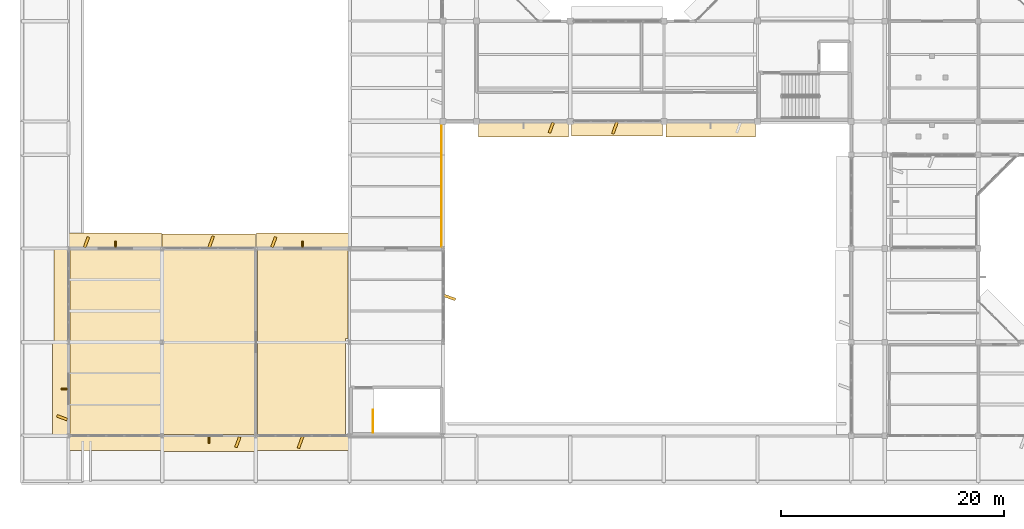
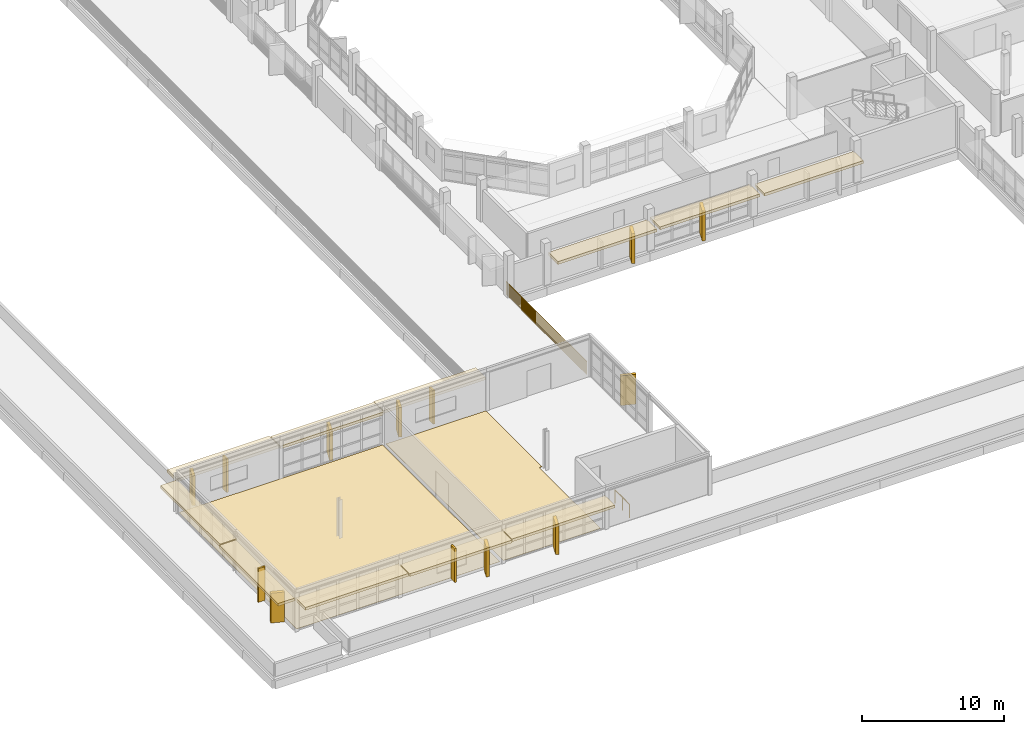
# One storey, part 67 of 92: 22 coverings, 4 shading devices, 2 railings.
"""IFC4 building model written with IfcOpenShell, lengths in metres."""

from ifc_helpers import new_model, si_unit, direction, frame, origin, origin_2d, place, context, subcontext, project, spatial, polyline, rectangle, circle, outline, extrude, material, layer, layer_set, type_object, element, save


model = new_model("IFC4")

# Units and contexts
model_context = context("Model", 3, precision=1e-05, world=origin(), true_north=direction((0.0, 1.0)))
body_context = subcontext(model_context, "Body", "Model", "MODEL_VIEW")
ifc_project = project(units=[si_unit("LENGTHUNIT", "METRE"), si_unit("AREAUNIT", "SQUARE_METRE"), si_unit("VOLUMEUNIT", "CUBIC_METRE"), si_unit("PLANEANGLEUNIT", "RADIAN"), si_unit("MASSUNIT", "GRAM", prefix="KILO")], contexts=[model_context])

# Site, building, storey
site_placement = place(None, origin())
site = spatial("IfcSite", under=ifc_project, at=site_placement, CompositionType="ELEMENT")
building_placement = place(site_placement, origin())
building = spatial("IfcBuilding", under=site, at=building_placement, Name="Vanh Quang Courtyard School", CompositionType="ELEMENT")
storey_placement = place(building_placement, frame((0.0, 0.0, 7.800048828125)))
storey = spatial("IfcBuildingStorey", under=building, at=storey_placement, Name="L02", CompositionType="ELEMENT", Elevation=7.800048828125)

# Coverings
ifc_material_1 = material(Name="Polished cementitious terrazzo tile", Category="concrete")
ifc_layer_1 = layer(ifc_material_1, 0.02001953125)
ifc_layer_set_1 = layer_set([ifc_layer_1], Name="Polished cementitious terrazzo tile")
covering_type_1 = type_object("IfcCoveringType", Name="COV-FLR-TERRAZZO", PredefinedType="FLOORING", material=ifc_layer_set_1)
covering_1_placement = place(storey_placement, origin())
element("IfcCovering", 1, at=covering_1_placement, inside=storey, type_object=covering_type_1, Name="Covering CV-FL1 (L02)", PredefinedType="FLOORING", context=body_context, shape_type="SweptSolid", body=[
    extrude(outline(polyline([(4.330078125, 20.860107421875), (4.330078125, 20.861083984375), (4.330078125, 20.862060546875), (4.330322265625, 20.86279296875), (4.330810546875, 20.86376953125), (4.331298828125, 20.86474609375), (4.331787109375, 20.865478515625), (4.332275390625, 20.8662109375), (4.3330078125, 20.8671875), (4.333740234375, 20.86767578125), (4.33447265625, 20.868408203125), (4.335205078125, 20.868896484375), (4.336181640625, 20.869140625), (4.337158203125, 20.86962890625), (4.337890625, 20.869873046875), (4.339111328125, 20.8701171875), (4.340087890625, 20.8701171875), (20.860107421875, 20.8701171875), (20.861083984375, 20.8701171875), (20.862060546875, 20.869873046875), (20.86279296875, 20.86962890625), (20.86376953125, 20.869140625), (20.86474609375, 20.868896484375), (20.865478515625, 20.868408203125), (20.8662109375, 20.86767578125), (20.8671875, 20.8671875), (20.86767578125, 20.8662109375), (20.868408203125, 20.865478515625), (20.868896484375, 20.86474609375), (20.869140625, 20.86376953125), (20.86962890625, 20.86279296875), (20.869873046875, 20.862060546875), (20.8701171875, 20.861083984375), (20.8701171875, 20.860107421875), (20.8701171875, 4.340087890625), (20.8701171875, 4.339111328125), (20.869873046875, 4.337890625), (20.86962890625, 4.337158203125), (20.869140625, 4.336181640625), (20.868896484375, 4.335205078125), (20.868408203125, 4.33447265625), (20.86767578125, 4.333740234375), (20.8671875, 4.3330078125), (20.8662109375, 4.332275390625), (20.865478515625, 4.331787109375), (20.86474609375, 4.331298828125), (20.86376953125, 4.330810546875), (20.86279296875, 4.330322265625), (20.862060546875, 4.330078125), (20.861083984375, 4.330078125), (20.860107421875, 4.330078125), (4.340087890625, 4.330078125), (4.339111328125, 4.330078125), (4.337890625, 4.330078125), (4.337158203125, 4.330322265625), (4.336181640625, 4.330810546875), (4.335205078125, 4.331298828125), (4.33447265625, 4.331787109375), (4.333740234375, 4.332275390625), (4.3330078125, 4.3330078125), (4.332275390625, 4.333740234375), (4.331787109375, 4.33447265625), (4.331298828125, 4.335205078125), (4.330810546875, 4.336181640625), (4.330322265625, 4.337158203125), (4.330078125, 4.337890625), (4.330078125, 4.339111328125), (4.330078125, 4.340087890625), (4.330078125, 20.860107421875)])), origin(), (0.0, 0.0, 1.0), 0.02001953125),
])
covering_2_placement = place(storey_placement, origin())
element("IfcCovering", 2, at=covering_2_placement, inside=storey, type_object=covering_type_1, Name="Covering CV-FL1 (L02)", PredefinedType="FLOORING", context=body_context, shape_type="SweptSolid", body=[
    extrude(outline(polyline([(21.14990234375, 20.860107421875), (21.14990234375, 20.861083984375), (21.150146484375, 20.862060546875), (21.150390625, 20.86279296875), (21.15087890625, 20.86376953125), (21.151123046875, 20.86474609375), (21.151611328125, 20.865478515625), (21.15234375, 20.8662109375), (21.15283203125, 20.8671875), (21.15380859375, 20.86767578125), (21.154296875, 20.868408203125), (21.1552734375, 20.868896484375), (21.15625, 20.869140625), (21.156982421875, 20.86962890625), (21.157958984375, 20.869873046875), (21.158935546875, 20.8701171875), (21.159912109375, 20.8701171875), (29.260009765625, 20.8701171875), (29.260986328125, 20.8701171875), (29.261962890625, 20.869873046875), (29.262939453125, 20.86962890625), (29.263916015625, 20.869140625), (29.2646484375, 20.868896484375), (29.265625, 20.868408203125), (29.266357421875, 20.86767578125), (29.26708984375, 20.8671875), (29.267578125, 20.8662109375), (29.268310546875, 20.865478515625), (29.268798828125, 20.86474609375), (29.269287109375, 20.86376953125), (29.26953125, 20.86279296875), (29.269775390625, 20.862060546875), (29.27001953125, 20.861083984375), (29.27001953125, 20.860107421875), (29.27001953125, 12.949951171875), (29.050048828125, 12.949951171875), (29.050048828125, 4.330078125), (21.159912109375, 4.330078125), (21.158935546875, 4.330078125), (21.157958984375, 4.330078125), (21.156982421875, 4.330322265625), (21.15625, 4.330810546875), (21.1552734375, 4.331298828125), (21.154296875, 4.331787109375), (21.15380859375, 4.332275390625), (21.15283203125, 4.3330078125), (21.15234375, 4.333740234375), (21.151611328125, 4.33447265625), (21.151123046875, 4.335205078125), (21.15087890625, 4.336181640625), (21.150390625, 4.337158203125), (21.150146484375, 4.337890625), (21.14990234375, 4.339111328125), (21.14990234375, 4.340087890625), (21.14990234375, 20.860107421875)])), origin(), (0.0, 0.0, 1.0), 0.02001953125),
])
ifc_material_2 = material(Name="Board-marked precast concrete C40/50", Category="concrete")
ifc_layer_2 = layer(ifc_material_2, 0.239990234375)
ifc_layer_set_2 = layer_set([ifc_layer_2], Name="Board-marked precast concrete C40/50")
covering_type_2 = type_object("IfcCoveringType", Name="COV-HOOD-CONC", PredefinedType="CLADDING", material=ifc_layer_set_2)
covering_3_placement = place(storey_placement, frame((38.385009765625, 16.610107421875, 0.0), z_axis=(0.0, 0.0, 1.0), x_axis=(0.94028812701, -0.340379550213, 0.0)))
element("IfcCovering", 3, at=covering_3_placement, inside=storey, type_object=covering_type_2, Name="Covering CH-01 (L02)", PredefinedType="CLADDING", context=body_context, shape_type="SweptSolid", body=[
    extrude(rectangle(XDim=1.11669921875, YDim=0.239990234375, at=origin_2d()), origin(), (0.0, 0.0, 1.0), 2.56005859375),
])
covering_4_placement = place(storey_placement, frame((25.199951171875, 3.580078125, 2.5400390625), z_axis=(0.0, 0.0, 1.0), x_axis=(-1.0, 0.0, 0.0)))
element("IfcCovering", 4, at=covering_4_placement, inside=storey, type_object=covering_type_2, Name="Covering CH-01 (L02)", PredefinedType="CLADDING", context=body_context, shape_type="SweptSolid", body=[
    extrude(rectangle(XDim=8.384033203125, YDim=1.39990234375, at=origin_2d()), origin(), (0.0, 0.0, 1.0), 0.239990234375),
])
covering_5_placement = place(storey_placement, frame((25.010009765625, 3.614990234375, 0.0), z_axis=(0.0, 0.0, 1.0), x_axis=(-0.340379550213, -0.94028812701, 0.0)))
element("IfcCovering", 5, at=covering_5_placement, inside=storey, type_object=covering_type_2, Name="Covering CH-01 (L02)", PredefinedType="CLADDING", context=body_context, shape_type="SweptSolid", body=[
    extrude(rectangle(XDim=1.11669921875, YDim=0.239990234375, at=origin_2d()), origin(), (0.0, 0.0, 1.0), 2.56005859375),
])
covering_6_placement = place(storey_placement, frame((16.800048828125, 3.4599609375, 2.5400390625), z_axis=(0.0, 0.0, 1.0), x_axis=(-1.0, 0.0, 0.0)))
element("IfcCovering", 6, at=covering_6_placement, inside=storey, type_object=covering_type_2, Name="Covering CH-01 (L02)", PredefinedType="CLADDING", context=body_context, shape_type="SweptSolid", body=[
    extrude(rectangle(XDim=8.303955078125, YDim=1.35009765625, at=origin_2d()), origin(), (0.0, 0.0, 1.0), 0.239990234375),
])
covering_7_placement = place(storey_placement, frame((19.385498046875, 3.6298828125, 0.0), z_axis=(0.0, 0.0, 1.0), x_axis=(-0.346608245445, -0.938009980858, 0.0)))
element("IfcCovering", 7, at=covering_7_placement, inside=storey, type_object=covering_type_2, Name="Covering CH-01 (L02)", PredefinedType="CLADDING", context=body_context, shape_type="SweptSolid", body=[
    extrude(rectangle(XDim=0.980712890625, YDim=0.239990234375, at=origin_2d()), origin(), (0.0, 0.0, 1.0), 2.56005859375),
])
covering_8_placement = place(storey_placement, frame((8.39990234375, 3.580078125, 2.5400390625), z_axis=(0.0, 0.0, 1.0), x_axis=(-1.0, 0.0, 0.0)))
element("IfcCovering", 8, at=covering_8_placement, inside=storey, type_object=covering_type_2, Name="Covering CH-01 (L02)", PredefinedType="CLADDING", context=body_context, shape_type="SweptSolid", body=[
    extrude(rectangle(XDim=8.384033203125, YDim=1.39990234375, at=origin_2d()), origin(), (0.0, 0.0, 1.0), 0.239990234375),
])
covering_9_placement = place(storey_placement, frame((3.4599609375, 8.39990234375, 2.5400390625), z_axis=(0.0, 0.0, 1.0), x_axis=(0.0, 1.0, 0.0)))
element("IfcCovering", 9, at=covering_9_placement, inside=storey, type_object=covering_type_2, Name="Covering CH-01 (L02)", PredefinedType="CLADDING", context=body_context, shape_type="SweptSolid", body=[
    extrude(rectangle(XDim=8.27392578125, YDim=1.35009765625, at=origin_2d()), origin(), (0.0, 0.0, 1.0), 0.239990234375),
])
covering_10_placement = place(storey_placement, frame((3.6298828125, 5.82470703125, 0.0), z_axis=(0.0, 0.0, 1.0), x_axis=(-0.938009980858, 0.346608245445, 0.0)))
element("IfcCovering", 10, at=covering_10_placement, inside=storey, type_object=covering_type_2, Name="Covering CH-01 (L02)", PredefinedType="CLADDING", context=body_context, shape_type="SweptSolid", body=[
    extrude(rectangle(XDim=0.980712890625, YDim=0.239990234375, at=origin_2d()), origin(), (0.0, 0.0, 1.0), 2.56005859375),
])
covering_11_placement = place(storey_placement, frame((3.580078125, 16.800048828125, 2.5400390625), z_axis=(0.0, 0.0, 1.0), x_axis=(0.0, 1.0, 0.0)))
element("IfcCovering", 11, at=covering_11_placement, inside=storey, type_object=covering_type_2, Name="Covering CH-01 (L02)", PredefinedType="CLADDING", context=body_context, shape_type="SweptSolid", body=[
    extrude(rectangle(XDim=8.35400390625, YDim=1.39990234375, at=origin_2d()), origin(), (0.0, 0.0, 1.0), 0.239990234375),
])
covering_12_placement = place(storey_placement, frame((8.39990234375, 21.739990234375, 2.5400390625), z_axis=(0.0, 0.0, 1.0), x_axis=(1.0, 0.0, 0.0)))
element("IfcCovering", 12, at=covering_12_placement, inside=storey, type_object=covering_type_2, Name="Covering CH-01 (L02)", PredefinedType="CLADDING", context=body_context, shape_type="SweptSolid", body=[
    extrude(rectangle(XDim=8.303955078125, YDim=1.35009765625, at=origin_2d()), origin(), (0.0, 0.0, 1.0), 0.239990234375),
])
covering_13_placement = place(storey_placement, frame((5.814697265625, 21.570068359375, 0.0), z_axis=(0.0, 0.0, 1.0), x_axis=(0.346608245445, 0.938009980858, 0.0)))
element("IfcCovering", 13, at=covering_13_placement, inside=storey, type_object=covering_type_2, Name="Covering CH-01 (L02)", PredefinedType="CLADDING", context=body_context, shape_type="SweptSolid", body=[
    extrude(rectangle(XDim=0.980712890625, YDim=0.239990234375, at=origin_2d()), origin(), (0.0, 0.0, 1.0), 2.56005859375),
])
covering_14_placement = place(storey_placement, frame((16.800048828125, 21.6201171875, 2.5400390625), z_axis=(0.0, 0.0, 1.0), x_axis=(1.0, 0.0, 0.0)))
element("IfcCovering", 14, at=covering_14_placement, inside=storey, type_object=covering_type_2, Name="Covering CH-01 (L02)", PredefinedType="CLADDING", context=body_context, shape_type="SweptSolid", body=[
    extrude(rectangle(XDim=8.384033203125, YDim=1.39990234375, at=origin_2d()), origin(), (0.0, 0.0, 1.0), 0.239990234375),
])
covering_15_placement = place(storey_placement, frame((16.989990234375, 21.5849609375, 0.0), z_axis=(0.0, 0.0, 1.0), x_axis=(0.340379550213, 0.94028812701, 0.0)))
element("IfcCovering", 15, at=covering_15_placement, inside=storey, type_object=covering_type_2, Name="Covering CH-01 (L02)", PredefinedType="CLADDING", context=body_context, shape_type="SweptSolid", body=[
    extrude(rectangle(XDim=1.11669921875, YDim=0.239990234375, at=origin_2d()), origin(), (0.0, 0.0, 1.0), 2.56005859375),
])
covering_16_placement = place(storey_placement, frame((25.199951171875, 21.739990234375, 2.5400390625), z_axis=(0.0, 0.0, 1.0), x_axis=(1.0, 0.0, 0.0)))
element("IfcCovering", 16, at=covering_16_placement, inside=storey, type_object=covering_type_2, Name="Covering CH-01 (L02)", PredefinedType="CLADDING", context=body_context, shape_type="SweptSolid", body=[
    extrude(rectangle(XDim=8.303955078125, YDim=1.35009765625, at=origin_2d()), origin(), (0.0, 0.0, 1.0), 0.239990234375),
])
covering_17_placement = place(storey_placement, frame((22.614501953125, 21.570068359375, 0.0), z_axis=(0.0, 0.0, 1.0), x_axis=(0.346608245445, 0.938009980858, 0.0)))
element("IfcCovering", 17, at=covering_17_placement, inside=storey, type_object=covering_type_2, Name="Covering CH-01 (L02)", PredefinedType="CLADDING", context=body_context, shape_type="SweptSolid", body=[
    extrude(rectangle(XDim=0.980712890625, YDim=0.239990234375, at=origin_2d()), origin(), (0.0, 0.0, 1.0), 2.56005859375),
])
covering_18_placement = place(storey_placement, frame((61.800048828125, 31.659912109375, 2.35986328125), z_axis=(0.0, 0.0, 1.0), x_axis=(-1.0, 0.0, 0.0)))
element("IfcCovering", 18, at=covering_18_placement, inside=storey, type_object=covering_type_2, Name="Covering CH-01 (L02)", PredefinedType="CLADDING", context=body_context, shape_type="SweptSolid", body=[
    extrude(rectangle(XDim=8.053955078125, YDim=1.35009765625, at=origin_2d()), origin(), (0.0, 0.0, 1.0), 0.239990234375),
])
covering_19_placement = place(storey_placement, frame((53.39990234375, 31.780029296875, 2.35986328125), z_axis=(0.0, 0.0, 1.0), x_axis=(-1.0, 0.0, 0.0)))
element("IfcCovering", 19, at=covering_19_placement, inside=storey, type_object=covering_type_2, Name="Covering CH-01 (L02)", PredefinedType="CLADDING", context=body_context, shape_type="SweptSolid", body=[
    extrude(rectangle(XDim=8.134033203125, YDim=1.39990234375, at=origin_2d()), origin(), (0.0, 0.0, 1.0), 0.239990234375),
])
covering_20_placement = place(storey_placement, frame((53.2099609375, 31.81494140625, 0.0), z_axis=(0.0, 0.0, 1.0), x_axis=(-0.340379550213, -0.94028812701, 0.0)))
element("IfcCovering", 20, at=covering_20_placement, inside=storey, type_object=covering_type_2, Name="Covering CH-01 (L02)", PredefinedType="CLADDING", context=body_context, shape_type="SweptSolid", body=[
    extrude(rectangle(XDim=1.11669921875, YDim=0.239990234375, at=origin_2d()), origin(), (0.0, 0.0, 1.0), 2.56005859375),
])
covering_21_placement = place(storey_placement, frame((45.0, 31.659912109375, 2.35986328125), z_axis=(0.0, 0.0, 1.0), x_axis=(-1.0, 0.0, 0.0)))
element("IfcCovering", 21, at=covering_21_placement, inside=storey, type_object=covering_type_2, Name="Covering CH-01 (L02)", PredefinedType="CLADDING", context=body_context, shape_type="SweptSolid", body=[
    extrude(rectangle(XDim=8.053955078125, YDim=1.35009765625, at=origin_2d()), origin(), (0.0, 0.0, 1.0), 0.239990234375),
])
covering_22_placement = place(storey_placement, frame((47.50048828125, 31.830078125, 0.0), z_axis=(0.0, 0.0, 1.0), x_axis=(-0.346608245445, -0.938009980858, 0.0)))
element("IfcCovering", 22, at=covering_22_placement, inside=storey, type_object=covering_type_2, Name="Covering CH-01 (L02)", PredefinedType="CLADDING", context=body_context, shape_type="SweptSolid", body=[
    extrude(rectangle(XDim=0.980712890625, YDim=0.239990234375, at=origin_2d()), origin(), (0.0, 0.0, 1.0), 2.56005859375),
])

# Railings
ifc_material_3 = material(Name="Galvanised painted steel EN 10025-2 S355J2", Category="steel")
railing_type = type_object("IfcRailingType", Name="RAIL-GUARD-1150", PredefinedType="BALUSTRADE", material=ifc_material_3)
railing_1_placement = place(storey_placement, frame((37.659912109375, 32.5302734375, 0.0)))
element("IfcRailing", 23, at=railing_1_placement, inside=storey, type_object=railing_type, Name="Railing GR-01 (L02)", PredefinedType="BALUSTRADE", context=body_context, shape_type="SweptSolid", body=[
    extrude(circle(Radius=0.02392578125, at=origin_2d()), frame((0.0, 0.0, 1.1259765625), z_axis=(0.0, -1.0, 0.0), x_axis=(1.0, 0.0, 0.0)), (0.0, 0.0, 1.0), 11.33056640625),
    extrude(circle(Radius=0.02099609375, at=origin_2d()), origin(), (0.0, 0.0, 1.0), 1.101806640625),
    extrude(circle(Radius=0.02099609375, at=origin_2d()), frame((0.0, -0.139892578125, 0.0)), (0.0, 0.0, 1.0), 1.101806640625),
    extrude(circle(Radius=0.02099609375, at=origin_2d()), frame((0.0, -0.27978515625, 0.0)), (0.0, 0.0, 1.0), 1.101806640625),
    extrude(circle(Radius=0.02099609375, at=origin_2d()), frame((0.0, -0.419677734375, 0.0)), (0.0, 0.0, 1.0), 1.101806640625),
    extrude(circle(Radius=0.02099609375, at=origin_2d()), frame((0.0, -0.5595703125, 0.0)), (0.0, 0.0, 1.0), 1.101806640625),
    extrude(circle(Radius=0.02099609375, at=origin_2d()), frame((0.0, -0.699462890625, 0.0)), (0.0, 0.0, 1.0), 1.101806640625),
    extrude(circle(Radius=0.02099609375, at=origin_2d()), frame((0.0, -0.83935546875, 0.0)), (0.0, 0.0, 1.0), 1.101806640625),
    extrude(circle(Radius=0.02099609375, at=origin_2d()), frame((0.0, -0.979248046875, 0.0)), (0.0, 0.0, 1.0), 1.101806640625),
    extrude(circle(Radius=0.02099609375, at=origin_2d()), frame((0.0, -1.119140625, 0.0)), (0.0, 0.0, 1.0), 1.101806640625),
    extrude(circle(Radius=0.02099609375, at=origin_2d()), frame((0.0, -1.259033203125, 0.0)), (0.0, 0.0, 1.0), 1.101806640625),
    extrude(circle(Radius=0.02099609375, at=origin_2d()), frame((0.0, -1.39892578125, 0.0)), (0.0, 0.0, 1.0), 1.101806640625),
    extrude(circle(Radius=0.02099609375, at=origin_2d()), frame((0.0, -1.538818359375, 0.0)), (0.0, 0.0, 1.0), 1.101806640625),
    extrude(circle(Radius=0.02099609375, at=origin_2d()), frame((0.0, -1.6787109375, 0.0)), (0.0, 0.0, 1.0), 1.101806640625),
    extrude(circle(Radius=0.02099609375, at=origin_2d()), frame((0.0, -1.818603515625, 0.0)), (0.0, 0.0, 1.0), 1.101806640625),
    extrude(circle(Radius=0.02099609375, at=origin_2d()), frame((0.0, -1.958251953125, 0.0)), (0.0, 0.0, 1.0), 1.101806640625),
    extrude(circle(Radius=0.02099609375, at=origin_2d()), frame((0.0, -2.09814453125, 0.0)), (0.0, 0.0, 1.0), 1.101806640625),
    extrude(circle(Radius=0.02099609375, at=origin_2d()), frame((0.0, -2.238037109375, 0.0)), (0.0, 0.0, 1.0), 1.101806640625),
    extrude(circle(Radius=0.02099609375, at=origin_2d()), frame((0.0, -2.3779296875, 0.0)), (0.0, 0.0, 1.0), 1.101806640625),
    extrude(circle(Radius=0.02099609375, at=origin_2d()), frame((0.0, -2.517822265625, 0.0)), (0.0, 0.0, 1.0), 1.101806640625),
    extrude(circle(Radius=0.02099609375, at=origin_2d()), frame((0.0, -2.65771484375, 0.0)), (0.0, 0.0, 1.0), 1.101806640625),
    extrude(circle(Radius=0.02099609375, at=origin_2d()), frame((0.0, -2.797607421875, 0.0)), (0.0, 0.0, 1.0), 1.101806640625),
    extrude(circle(Radius=0.02099609375, at=origin_2d()), frame((0.0, -2.9375, 0.0)), (0.0, 0.0, 1.0), 1.101806640625),
    extrude(circle(Radius=0.02099609375, at=origin_2d()), frame((0.0, -3.077392578125, 0.0)), (0.0, 0.0, 1.0), 1.101806640625),
    extrude(circle(Radius=0.02099609375, at=origin_2d()), frame((0.0, -3.21728515625, 0.0)), (0.0, 0.0, 1.0), 1.101806640625),
    extrude(circle(Radius=0.02099609375, at=origin_2d()), frame((0.0, -3.357177734375, 0.0)), (0.0, 0.0, 1.0), 1.101806640625),
    extrude(circle(Radius=0.02099609375, at=origin_2d()), frame((0.0, -3.4970703125, 0.0)), (0.0, 0.0, 1.0), 1.101806640625),
    extrude(circle(Radius=0.02099609375, at=origin_2d()), frame((0.0, -3.636962890625, 0.0)), (0.0, 0.0, 1.0), 1.101806640625),
    extrude(circle(Radius=0.02099609375, at=origin_2d()), frame((0.0, -3.77685546875, 0.0)), (0.0, 0.0, 1.0), 1.101806640625),
    extrude(circle(Radius=0.02099609375, at=origin_2d()), frame((0.0, -3.916748046875, 0.0)), (0.0, 0.0, 1.0), 1.101806640625),
    extrude(circle(Radius=0.02099609375, at=origin_2d()), frame((0.0, -4.056640625, 0.0)), (0.0, 0.0, 1.0), 1.101806640625),
    extrude(circle(Radius=0.02099609375, at=origin_2d()), frame((0.0, -4.196533203125, 0.0)), (0.0, 0.0, 1.0), 1.101806640625),
    extrude(circle(Radius=0.02099609375, at=origin_2d()), frame((0.0, -4.33642578125, 0.0)), (0.0, 0.0, 1.0), 1.101806640625),
    extrude(circle(Radius=0.02099609375, at=origin_2d()), frame((0.0, -4.476318359375, 0.0)), (0.0, 0.0, 1.0), 1.101806640625),
    extrude(circle(Radius=0.02099609375, at=origin_2d()), frame((0.0, -4.6162109375, 0.0)), (0.0, 0.0, 1.0), 1.101806640625),
    extrude(circle(Radius=0.02099609375, at=origin_2d()), frame((0.0, -4.756103515625, 0.0)), (0.0, 0.0, 1.0), 1.101806640625),
    extrude(circle(Radius=0.02099609375, at=origin_2d()), frame((0.0, -4.89599609375, 0.0)), (0.0, 0.0, 1.0), 1.101806640625),
    extrude(circle(Radius=0.02099609375, at=origin_2d()), frame((0.0, -5.035888671875, 0.0)), (0.0, 0.0, 1.0), 1.101806640625),
    extrude(circle(Radius=0.02099609375, at=origin_2d()), frame((0.0, -5.17578125, 0.0)), (0.0, 0.0, 1.0), 1.101806640625),
    extrude(circle(Radius=0.02099609375, at=origin_2d()), frame((0.0, -5.315673828125, 0.0)), (0.0, 0.0, 1.0), 1.101806640625),
    extrude(circle(Radius=0.02099609375, at=origin_2d()), frame((0.0, -5.45556640625, 0.0)), (0.0, 0.0, 1.0), 1.101806640625),
    extrude(circle(Radius=0.02099609375, at=origin_2d()), frame((0.0, -5.595458984375, 0.0)), (0.0, 0.0, 1.0), 1.101806640625),
    extrude(circle(Radius=0.02099609375, at=origin_2d()), frame((0.0, -5.735107421875, 0.0)), (0.0, 0.0, 1.0), 1.101806640625),
    extrude(circle(Radius=0.02099609375, at=origin_2d()), frame((0.0, -5.875, 0.0)), (0.0, 0.0, 1.0), 1.101806640625),
    extrude(circle(Radius=0.02099609375, at=origin_2d()), frame((0.0, -6.014892578125, 0.0)), (0.0, 0.0, 1.0), 1.101806640625),
    extrude(circle(Radius=0.02099609375, at=origin_2d()), frame((0.0, -6.15478515625, 0.0)), (0.0, 0.0, 1.0), 1.101806640625),
    extrude(circle(Radius=0.02099609375, at=origin_2d()), frame((0.0, -6.294677734375, 0.0)), (0.0, 0.0, 1.0), 1.101806640625),
    extrude(circle(Radius=0.02099609375, at=origin_2d()), frame((0.0, -6.4345703125, 0.0)), (0.0, 0.0, 1.0), 1.101806640625),
    extrude(circle(Radius=0.02099609375, at=origin_2d()), frame((0.0, -6.574462890625, 0.0)), (0.0, 0.0, 1.0), 1.101806640625),
    extrude(circle(Radius=0.02099609375, at=origin_2d()), frame((0.0, -6.71435546875, 0.0)), (0.0, 0.0, 1.0), 1.101806640625),
    extrude(circle(Radius=0.02099609375, at=origin_2d()), frame((0.0, -6.854248046875, 0.0)), (0.0, 0.0, 1.0), 1.101806640625),
    extrude(circle(Radius=0.02099609375, at=origin_2d()), frame((0.0, -6.994140625, 0.0)), (0.0, 0.0, 1.0), 1.101806640625),
    extrude(circle(Radius=0.02099609375, at=origin_2d()), frame((0.0, -7.134033203125, 0.0)), (0.0, 0.0, 1.0), 1.101806640625),
    extrude(circle(Radius=0.02099609375, at=origin_2d()), frame((0.0, -7.27392578125, 0.0)), (0.0, 0.0, 1.0), 1.101806640625),
    extrude(circle(Radius=0.02099609375, at=origin_2d()), frame((0.0, -7.413818359375, 0.0)), (0.0, 0.0, 1.0), 1.101806640625),
    extrude(circle(Radius=0.02099609375, at=origin_2d()), frame((0.0, -7.5537109375, 0.0)), (0.0, 0.0, 1.0), 1.101806640625),
    extrude(circle(Radius=0.02099609375, at=origin_2d()), frame((0.0, -7.693603515625, 0.0)), (0.0, 0.0, 1.0), 1.101806640625),
    extrude(circle(Radius=0.02099609375, at=origin_2d()), frame((0.0, -7.83349609375, 0.0)), (0.0, 0.0, 1.0), 1.101806640625),
    extrude(circle(Radius=0.02099609375, at=origin_2d()), frame((0.0, -7.973388671875, 0.0)), (0.0, 0.0, 1.0), 1.101806640625),
    extrude(circle(Radius=0.02099609375, at=origin_2d()), frame((0.0, -8.11328125, 0.0)), (0.0, 0.0, 1.0), 1.101806640625),
    extrude(circle(Radius=0.02099609375, at=origin_2d()), frame((0.0, -8.253173828125, 0.0)), (0.0, 0.0, 1.0), 1.101806640625),
    extrude(circle(Radius=0.02099609375, at=origin_2d()), frame((0.0, -8.39306640625, 0.0)), (0.0, 0.0, 1.0), 1.101806640625),
    extrude(circle(Radius=0.02099609375, at=origin_2d()), frame((0.0, -8.532958984375, 0.0)), (0.0, 0.0, 1.0), 1.101806640625),
    extrude(circle(Radius=0.02099609375, at=origin_2d()), frame((0.0, -8.6728515625, 0.0)), (0.0, 0.0, 1.0), 1.101806640625),
    extrude(circle(Radius=0.02099609375, at=origin_2d()), frame((0.0, -8.812744140625, 0.0)), (0.0, 0.0, 1.0), 1.101806640625),
    extrude(circle(Radius=0.02099609375, at=origin_2d()), frame((0.0, -8.95263671875, 0.0)), (0.0, 0.0, 1.0), 1.101806640625),
    extrude(circle(Radius=0.02099609375, at=origin_2d()), frame((0.0, -9.092529296875, 0.0)), (0.0, 0.0, 1.0), 1.101806640625),
    extrude(circle(Radius=0.02099609375, at=origin_2d()), frame((0.0, -9.232421875, 0.0)), (0.0, 0.0, 1.0), 1.101806640625),
    extrude(circle(Radius=0.02099609375, at=origin_2d()), frame((0.0, -9.372314453125, 0.0)), (0.0, 0.0, 1.0), 1.101806640625),
    extrude(circle(Radius=0.02099609375, at=origin_2d()), frame((0.0, -9.511962890625, 0.0)), (0.0, 0.0, 1.0), 1.101806640625),
    extrude(circle(Radius=0.02099609375, at=origin_2d()), frame((0.0, -9.65185546875, 0.0)), (0.0, 0.0, 1.0), 1.101806640625),
    extrude(circle(Radius=0.02099609375, at=origin_2d()), frame((0.0, -9.791748046875, 0.0)), (0.0, 0.0, 1.0), 1.101806640625),
    extrude(circle(Radius=0.02099609375, at=origin_2d()), frame((0.0, -9.931640625, 0.0)), (0.0, 0.0, 1.0), 1.101806640625),
    extrude(circle(Radius=0.02099609375, at=origin_2d()), frame((0.0, -10.071533203125, 0.0)), (0.0, 0.0, 1.0), 1.101806640625),
    extrude(circle(Radius=0.02099609375, at=origin_2d()), frame((0.0, -10.21142578125, 0.0)), (0.0, 0.0, 1.0), 1.101806640625),
    extrude(circle(Radius=0.02099609375, at=origin_2d()), frame((0.0, -10.351318359375, 0.0)), (0.0, 0.0, 1.0), 1.101806640625),
    extrude(circle(Radius=0.02099609375, at=origin_2d()), frame((0.0, -10.4912109375, 0.0)), (0.0, 0.0, 1.0), 1.101806640625),
    extrude(circle(Radius=0.02099609375, at=origin_2d()), frame((0.0, -10.631103515625, 0.0)), (0.0, 0.0, 1.0), 1.101806640625),
    extrude(circle(Radius=0.02099609375, at=origin_2d()), frame((0.0, -10.77099609375, 0.0)), (0.0, 0.0, 1.0), 1.101806640625),
    extrude(circle(Radius=0.02099609375, at=origin_2d()), frame((0.0, -10.910888671875, 0.0)), (0.0, 0.0, 1.0), 1.101806640625),
    extrude(circle(Radius=0.02099609375, at=origin_2d()), frame((0.0, -11.05078125, 0.0)), (0.0, 0.0, 1.0), 1.101806640625),
    extrude(circle(Radius=0.02099609375, at=origin_2d()), frame((0.0, -11.190673828125, 0.0)), (0.0, 0.0, 1.0), 1.101806640625),
    extrude(circle(Radius=0.02099609375, at=origin_2d()), frame((0.0, -11.33056640625, 0.0)), (0.0, 0.0, 1.0), 1.101806640625),
])
railing_2_placement = place(storey_placement, frame((31.510009765625, 4.47998046875, 0.0)))
element("IfcRailing", 24, at=railing_2_placement, inside=storey, type_object=railing_type, Name="L02 ST-06 top well guard 1", PredefinedType="BALUSTRADE", context=body_context, shape_type="SweptSolid", body=[
    extrude(circle(Radius=0.02392578125, at=origin_2d()), frame((0.0, 0.0, 1.1259765625), z_axis=(0.0, 1.0, 0.0), x_axis=(-1.0, 0.0, 0.0)), (0.0, 0.0, 1.0), 2.0400390625),
    extrude(circle(Radius=0.02099609375, at=origin_2d()), origin(), (0.0, 0.0, 1.0), 1.101806640625),
    extrude(circle(Radius=0.02099609375, at=origin_2d()), frame((0.0, 1.02001953125, 0.0)), (0.0, 0.0, 1.0), 1.101806640625),
    extrude(circle(Radius=0.02099609375, at=origin_2d()), frame((0.0, 2.0400390625, 0.0)), (0.0, 0.0, 1.0), 1.101806640625),
])

# Shading devices
shading_device_type = type_object("IfcShadingDeviceType", Name="SHD-FIN-CONCRETE", PredefinedType="USERDEFINED", material=ifc_material_2)
for number, where, z_axis, x_axis, name in (
    (25, (16.800048828125, 3.804931640625, 0.14990234375), (0.0, 0.0, 1.0), (-1.0, 0.0, 0.0), "Solar Shading SH-02 (L02)"),
    (26, (3.804931640625, 8.39990234375, 0.14990234375), (0.0, 0.0, 1.0), (0.0, 1.0, 0.0), "Solar Shading SH-02 (L02)"),
    (27, (8.39990234375, 21.39501953125, 0.14990234375), (0.0, 0.0, 1.0), (1.0, 0.0, 0.0), "Solar Shading SH-02 (L02)"),
    (28, (25.199951171875, 21.39501953125, 0.14990234375), (0.0, 0.0, 1.0), (1.0, 0.0, 0.0), "Solar Shading SH-02 (L02)"),
):
    element("IfcShadingDevice", number, at=place(storey_placement, frame(where, z_axis=z_axis, x_axis=x_axis)), inside=storey, type_object=shading_device_type, Name=name, ObjectType="Solar Shading SH-02 (L02)", PredefinedType="USERDEFINED", context=body_context, shape_type="SweptSolid", body=[
        extrude(rectangle(XDim=0.139892578125, YDim=0.550048828125, at=origin_2d()), origin(), (0.0, 0.0, 1.0), 2.89990234375),
    ])

save(model, "model.ifc")
